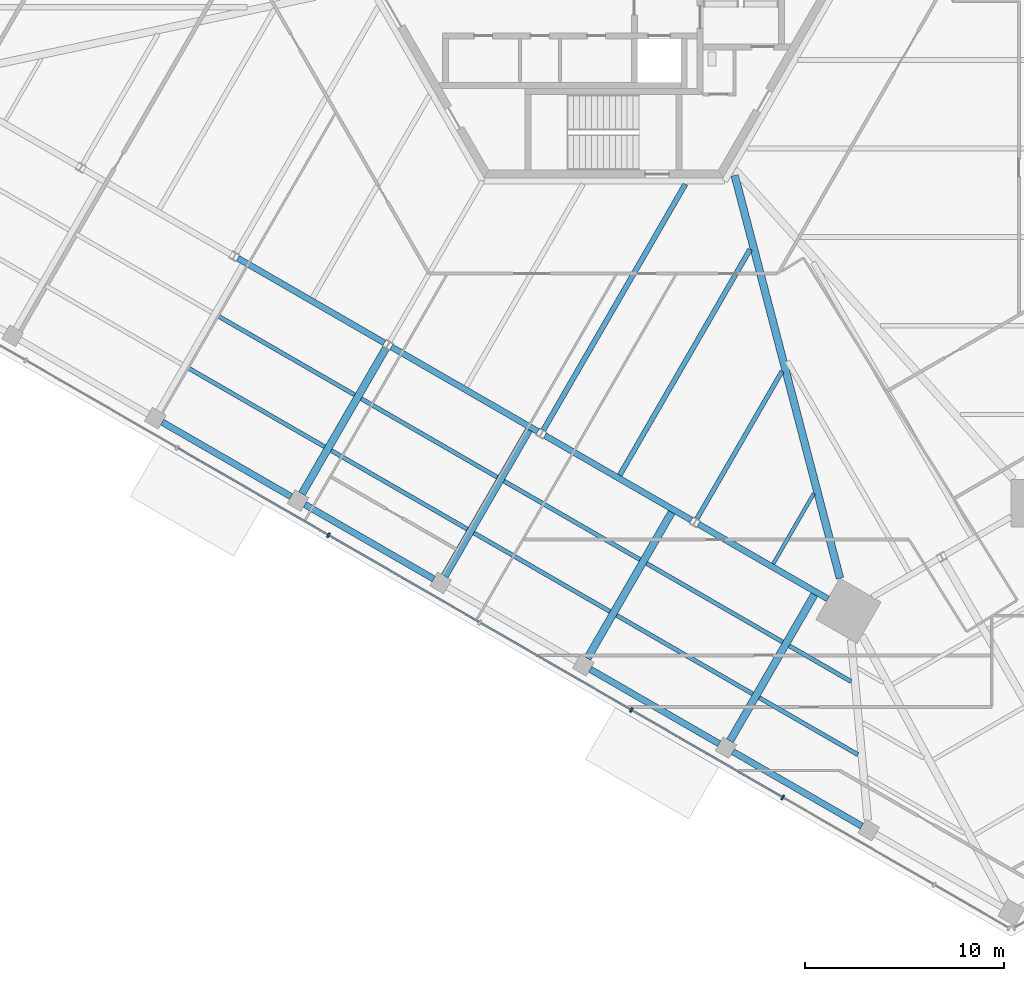
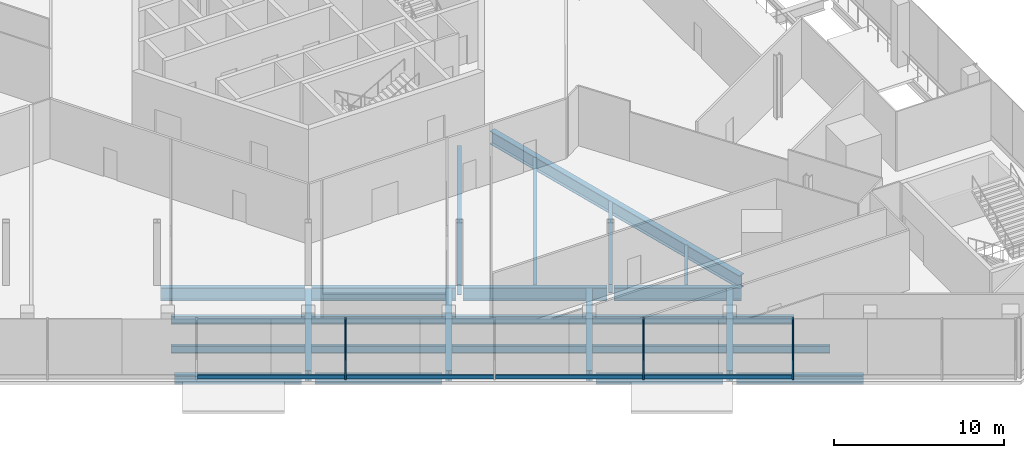
# One storey, part 6 of 27: 27 beams, 7 members, 1 element without a shape of its own.
"""IFC4 building model written with IfcOpenShell, lengths in metres."""

import ifcopenshell
import ifcopenshell.guid

model = None  # the IFC model being written
_history = None  # IfcOwnerHistory: only IFC2X3 demands one
_inside = {}  # id of a spatial element -> (the spatial element, [elements in it])
_under = {}  # id of a project, library or spatial element -> (it, [spatial elements below it])
_declared = {}  # id of a project -> (the project, [libraries it declares])
_typed = {}  # id of a type object -> (the type object, [elements of that type])
_made_of = {}  # id of a material, layer set ... -> (it, [elements and type objects made of it])


def new_model(schema):
    """Start an empty IFC model of exactly this schema.

    Asked for "IFC4X3", IfcOpenShell would pick the latest addendum, in which some entities
    have other attributes; the version numbers below select the first issue.
    IFC2X3 requires an IfcOwnerHistory on every rooted entity: one is made here for all.
    """
    global model, _history
    if schema == "IFC4X3":
        model = ifcopenshell.file(schema_version=(4, 3, 0, 0))
    else:
        model = ifcopenshell.file(schema=schema)
    _inside.clear()
    _under.clear()
    _declared.clear()
    _typed.clear()
    _made_of.clear()
    _history = None
    if model.schema == "IFC2X3":
        org = make("IfcOrganization", Name="unknown")
        user = make(
            "IfcPersonAndOrganization",
            ThePerson=make("IfcPerson", FamilyName="unknown"),
            TheOrganization=org,
        )
        app = make(
            "IfcApplication",
            ApplicationDeveloper=org,
            Version="unknown",
            ApplicationFullName="unknown",
            ApplicationIdentifier="unknown",
        )
        _history = make(
            "IfcOwnerHistory",
            OwningUser=user,
            OwningApplication=app,
            ChangeAction="ADDED",
            CreationDate=0,
        )
    return model


def make(cls, **values):
    """One entity of the class cls with the attributes given. An attribute that is None is left unset."""
    return model.create_entity(
        cls, **{name: value for name, value in values.items() if value is not None}
    )


def rooted(cls, **values):
    """An entity with a GlobalId (a new one), such as an element, a storey or a relation."""
    return make(cls, GlobalId=ifcopenshell.guid.new(), OwnerHistory=_history, **values)


def si_unit(unit_type, name, prefix=None):
    """IfcSIUnit, for example si_unit("LENGTHUNIT", "METRE", prefix="MILLI")."""
    return make("IfcSIUnit", UnitType=unit_type, Prefix=prefix, Name=name)


def assignment(units):
    """IfcUnitAssignment: the units of a project."""
    return None if units is None else make("IfcUnitAssignment", Units=units)


def point(xyz):
    """IfcCartesianPoint."""
    return None if xyz is None else make("IfcCartesianPoint", Coordinates=xyz)


def direction(xyz):
    """IfcDirection."""
    return None if xyz is None else make("IfcDirection", DirectionRatios=xyz)


def frame(location, z_axis=None, x_axis=None):
    """IfcAxis2Placement3D, a coordinate frame: its origin and axes. An axis left out is left unset."""
    return make(
        "IfcAxis2Placement3D",
        Location=point(location),
        Axis=direction(z_axis),
        RefDirection=direction(x_axis),
    )


def frame_2d(location, x_axis=None):
    """IfcAxis2Placement2D, a coordinate frame in the plane: its origin and x axis."""
    return make(
        "IfcAxis2Placement2D", Location=point(location), RefDirection=direction(x_axis)
    )


def origin():
    """The frame at (0, 0, 0) with its axes left unset."""
    return frame((0.0, 0.0, 0.0))


def origin_2d():
    """The frame at (0, 0) in the plane with its x axis left unset."""
    return frame_2d((0.0, 0.0))


def place(relative_to, where):
    """IfcLocalPlacement: puts the frame where relative to a parent placement (None: the world)."""
    return make(
        "IfcLocalPlacement", PlacementRelTo=relative_to, RelativePlacement=where
    )


def context(
    kind, dimensions, precision=None, world=None, true_north=None, identifier=None
):
    """IfcGeometricRepresentationContext, for example the 3D "Model" context."""
    return make(
        "IfcGeometricRepresentationContext",
        ContextIdentifier=identifier,
        ContextType=kind,
        CoordinateSpaceDimension=dimensions,
        Precision=precision,
        WorldCoordinateSystem=world,
        TrueNorth=true_north,
    )


def subcontext(parent, identifier, kind, view, scale=None):
    """IfcGeometricRepresentationSubContext, for example "Body" below "Model"."""
    return make(
        "IfcGeometricRepresentationSubContext",
        ContextIdentifier=identifier,
        ContextType=kind,
        ParentContext=parent,
        TargetScale=scale,
        TargetView=view,
    )


def project(units=None, contexts=None):
    """IfcProject with its units and contexts."""
    return rooted(
        "IfcProject",
        Name="project",
        RepresentationContexts=contexts,
        UnitsInContext=assignment(units),
    )


def spatial(cls, under=None, at=None, **own):
    """A site, building, storey or space (cls), placed at a placement, below another one or the project."""
    s = rooted(cls, ObjectPlacement=at, **own)
    if under is not None:
        _under.setdefault(under.id(), (under, []))[1].append(s)
    return s


def profile(cls, at=None, kind="AREA", **sizes):
    """A parametric profile (cls). Its sizes go by their IFC names, for example OverallWidth=200.0."""
    return make(cls, ProfileType=kind, Position=at, **sizes)


def rectangle(**sizes):
    """IfcRectangleProfileDef."""
    return profile("IfcRectangleProfileDef", **sizes)


def i_section(**sizes):
    """IfcIShapeProfileDef."""
    return profile("IfcIShapeProfileDef", **sizes)


def extrude(swept, where, along, depth):
    """IfcExtrudedAreaSolid: the profile swept, set in the frame where, extruded along a direction by depth."""
    return make(
        "IfcExtrudedAreaSolid",
        SweptArea=swept,
        Position=where,
        ExtrudedDirection=direction(along),
        Depth=depth,
    )


def shape(context_of_items, identifier, shape_type, items):
    """IfcShapeRepresentation: the items that make up one representation, for example the "Body"."""
    return make(
        "IfcShapeRepresentation",
        ContextOfItems=context_of_items,
        RepresentationIdentifier=identifier,
        RepresentationType=shape_type,
        Items=items,
    )


def source(mapping_origin, context_of_items, identifier, shape_type, items):
    """IfcRepresentationMap: a shape defined once, which mapped items show again and again."""
    return make(
        "IfcRepresentationMap",
        MappingOrigin=mapping_origin,
        MappedRepresentation=shape(context_of_items, identifier, shape_type, items),
    )


def transform(
    local_origin,
    x_axis=None,
    y_axis=None,
    z_axis=None,
    scale=None,
    scale2=None,
    scale3=None,
    uniform=True,
):
    """IfcCartesianTransformationOperator3D, or its non-uniform kind. x_axis, y_axis, z_axis: its Axis1, 2, 3."""
    if uniform:
        return make(
            "IfcCartesianTransformationOperator3D",
            Axis1=direction(x_axis),
            Axis2=direction(y_axis),
            LocalOrigin=point(local_origin),
            Scale=scale,
            Axis3=direction(z_axis),
        )
    return make(
        "IfcCartesianTransformationOperator3DnonUniform",
        Axis1=direction(x_axis),
        Axis2=direction(y_axis),
        LocalOrigin=point(local_origin),
        Scale=scale,
        Axis3=direction(z_axis),
        Scale2=scale2,
        Scale3=scale3,
    )


def mapped(mapping_source, mapping_target):
    """IfcMappedItem: shows the shape of a source again, moved by a transform."""
    return make(
        "IfcMappedItem", MappingSource=mapping_source, MappingTarget=mapping_target
    )


def material(Name=None, Category=None):
    """IfcMaterial."""
    return make("IfcMaterial", Name=Name, Category=Category)


def material_profile(
    of_material, cross_section, Name=None, Category=None, Priority=None
):
    """IfcMaterialProfile: a cross section and its material."""
    return make(
        "IfcMaterialProfile",
        Name=Name,
        Material=of_material,
        Profile=cross_section,
        Priority=Priority,
        Category=Category,
    )


def profile_set(profiles, Name=None, composite=None):
    """IfcMaterialProfileSet."""
    return make(
        "IfcMaterialProfileSet",
        Name=Name,
        MaterialProfiles=profiles,
        CompositeProfile=composite,
    )


def made_of(thing, what):
    """Note that an element or type object is made of a material, layer set ...; save() writes the relation."""
    if what is not None:
        _made_of.setdefault(what.id(), (what, []))[1].append(thing)
    return thing


def type_object(cls, material=None, **own):
    """A type object (cls), such as IfcWallType, which elements share."""
    return made_of(rooted(cls, **own), material)


def element(
    cls,
    number,
    at=None,
    inside=None,
    cuts=None,
    type_object=None,
    material=None,
    context=None,
    identifier="Body",
    shape_type=None,
    held_by="IfcProductDefinitionShape",
    body=None,
    shapes=None,
    **own,
):
    """One element of the class cls, such as IfcWall. Its Tag is "e" and its number.

    at: its placement. inside: the storey or other place that contains it. cuts: it is an
    opening in that element (IfcRelVoidsElement). A single representation is given by context,
    identifier, shape_type and body (its items); several are given by shapes. held_by: the class
    of the entity that holds the representations. save() writes the other relations.
    """
    e = rooted(cls, Tag="e%d" % number, ObjectPlacement=at, **own)
    if body is not None:
        shapes = [shape(context, identifier, shape_type, body)]
    if shapes is not None:
        e.Representation = make(held_by, Representations=shapes)
    if inside is not None:
        _inside.setdefault(inside.id(), (inside, []))[1].append(e)
    if cuts is not None:
        rooted(
            "IfcRelVoidsElement", RelatingBuildingElement=cuts, RelatedOpeningElement=e
        )
    if type_object is not None:
        _typed.setdefault(type_object.id(), (type_object, []))[1].append(e)
    return made_of(e, material)


def aggregate(whole, parts):
    """IfcRelAggregates: a whole, such as a stair, and the parts it consists of."""
    return rooted("IfcRelAggregates", RelatingObject=whole, RelatedObjects=parts)


def save(model, path):
    """Write the relations noted so far, then the file.

    IfcRelAggregates (storeys below a building ...), IfcRelContainedInSpatialStructure (elements
    in a storey), IfcRelDefinesByType, IfcRelAssociatesMaterial and IfcRelDeclares: one each for
    every whole, place, type object, material and project.
    """
    for whole, parts in _under.values():
        aggregate(whole, parts)
    for where, things in _inside.values():
        rooted(
            "IfcRelContainedInSpatialStructure",
            RelatedElements=things,
            RelatingStructure=where,
        )
    for kind, things in _typed.values():
        rooted("IfcRelDefinesByType", RelatedObjects=things, RelatingType=kind)
    for what, things in _made_of.values():
        rooted("IfcRelAssociatesMaterial", RelatedObjects=things, RelatingMaterial=what)
    for by, libraries in _declared.values():
        rooted("IfcRelDeclares", RelatingContext=by, RelatedDefinitions=libraries)
    model.write(path)


model = new_model("IFC4")

# Units and contexts
model_context = context("Model", 3, precision=1e-05, world=origin(), true_north=direction((0.0, 1.0)))
body_context = subcontext(model_context, "Body", "Model", "MODEL_VIEW")
ifc_project = project(units=[si_unit("LENGTHUNIT", "METRE"), si_unit("AREAUNIT", "SQUARE_METRE"), si_unit("VOLUMEUNIT", "CUBIC_METRE"), si_unit("PLANEANGLEUNIT", "RADIAN"), si_unit("MASSUNIT", "GRAM", prefix="KILO")], contexts=[model_context])

# Site, building, storey
site_placement = place(None, origin())
site = spatial("IfcSite", under=ifc_project, at=site_placement, CompositionType="ELEMENT")
building_placement = place(site_placement, origin())
building = spatial("IfcBuilding", under=site, at=building_placement, Name="Triune Harvest Tower", CompositionType="ELEMENT")
storey_placement = place(building_placement, frame((0.0, 0.0, 7.0)))
storey = spatial("IfcBuildingStorey", under=building, at=storey_placement, Name="L01", CompositionType="ELEMENT", Elevation=7.0)

# Beams
ifc_material_1 = material(Name="Steel ASTM A992 Gr 50", Category="steel")
ifc_material_profile_1 = material_profile(ifc_material_1, i_section(OverallWidth=0.309814453125, OverallDepth=0.93212890625, WebThickness=0.02099609375, FlangeThickness=0.034423828125, at=origin_2d()), Name="W36x210")
ifc_profile_set_1 = profile_set([ifc_material_profile_1], Name="Steel ASTM A992 Gr 50")
beam_type_1 = type_object("IfcBeamType", Name="SB-3 Spandrel beam W36x210", PredefinedType="SPANDREL", material=ifc_profile_set_1)
shared_shape_1 = source(origin(), body_context, "Body", "SweptSolid", [
    extrude(i_section(OverallWidth=0.309814453125, OverallDepth=0.93212890625, WebThickness=0.02099609375, FlangeThickness=0.034423828125, at=origin_2d()), origin(), (0.0, 0.0, 1.0), 8.506103515625),
])
for number, where, z_axis, x_axis, name in (
    (1, (-18.381103515625, -14.4208984375, -0.666015625), (0.866017818397, -0.500013138047, 0.0), (0.500013138047, 0.866017818397, 0.0), "beam/L01/SB19"),
    (2, (-10.664794921875, -18.8759765625, -0.666015625), (0.866030246746, -0.49999161165, 0.0), (0.49999161165, 0.866030246746, 0.0), "beam/L01/SB20"),
    (3, (-2.948486328125, -23.3310546875, -0.666015625), (0.866030246746, -0.49999161165, 0.0), (0.49999161165, 0.866030246746, 0.0), "beam/L01/SB21"),
):
    element("IfcBeam", number, at=place(storey_placement, frame(where, z_axis=z_axis, x_axis=x_axis)), inside=storey, type_object=beam_type_1, Name=name, PredefinedType="SPANDREL", context=body_context, shape_type="MappedRepresentation", body=[
        mapped(shared_shape_1, transform((0.0, 0.0, 0.0), scale=1.0)),
    ])
shared_shape_2 = source(origin(), body_context, "Body", "SweptSolid", [
    extrude(i_section(OverallWidth=0.309814453125, OverallDepth=0.93212890625, WebThickness=0.02099609375, FlangeThickness=0.034423828125, at=origin_2d()), origin(), (0.0, 0.0, 1.0), 7.50830078125),
])
beam_1_placement = place(storey_placement, frame((4.767578125, -27.785888671875, -0.666015625), z_axis=(0.866027474485, -0.499996413425, 0.0), x_axis=(0.499996413425, 0.866027474485, 0.0)))
element("IfcBeam", 4, at=beam_1_placement, inside=storey, type_object=beam_type_1, Name="beam/L01/SB22", PredefinedType="SPANDREL", context=body_context, shape_type="MappedRepresentation", body=[
    mapped(shared_shape_2, transform((0.0, 0.0, 0.0), scale=1.0)),
])
ifc_material_2 = material(Name="Steel ASTM A992 Gr 50", Category="steel")
ifc_material_profile_2 = material_profile(ifc_material_2, i_section(OverallWidth=0.383544921875, OverallDepth=0.9423828125, WebThickness=0.022216796875, FlangeThickness=0.039794921875, at=origin_2d()), Name="W36x232")
ifc_profile_set_2 = profile_set([ifc_material_profile_2], Name="Steel ASTM A992 Gr 50")
beam_type_2 = type_object("IfcBeamType", Name="HG-1 Hip girder W36x232", PredefinedType="BEAM", material=ifc_profile_set_2)
shared_shape_3 = source(origin(), body_context, "Body", "SweptSolid", [
    extrude(i_section(OverallWidth=0.383544921875, OverallDepth=0.9423828125, WebThickness=0.022216796875, FlangeThickness=0.039794921875, at=origin_2d()), origin(), (0.0, 0.0, 1.0), 20.931884765625),
])
beam_2_placement = place(storey_placement, frame((11.8828125, -30.50830078125, -0.671142578125), z_axis=(-0.252690148393, 0.967547254094, 0.0), x_axis=(-0.967547254094, -0.252690148393, 0.0)))
element("IfcBeam", 5, at=beam_2_placement, inside=storey, type_object=beam_type_2, Name="beam/L01/HG6", PredefinedType="BEAM", context=body_context, shape_type="MappedRepresentation", body=[
    mapped(shared_shape_3, transform((0.0, 0.0, 0.0), scale=1.0)),
])
ifc_material_3 = material(Name="Steel ASTM A992 Gr 50", Category="steel")
ifc_material_profile_3 = material_profile(ifc_material_3, i_section(OverallWidth=0.2666015625, OverallDepth=0.7568359375, WebThickness=0.013916015625, FlangeThickness=0.019287109375, at=origin_2d()), Name="W30x108")
ifc_profile_set_3 = profile_set([ifc_material_profile_3], Name="Steel ASTM A992 Gr 50")
beam_type_3 = type_object("IfcBeamType", Name="JT-5 Floor joist W30x108", PredefinedType="JOIST", material=ifc_profile_set_3)
shared_shape_4 = source(origin(), body_context, "Body", "SweptSolid", [
    extrude(i_section(OverallWidth=0.2666015625, OverallDepth=0.7568359375, WebThickness=0.013916015625, FlangeThickness=0.019287109375, at=origin_2d()), origin(), (0.0, 0.0, 1.0), 14.2685546875),
])
beam_3_placement = place(storey_placement, frame((-3.02197265625, -23.053955078125, -0.57861328125), z_axis=(0.499999916269, 0.866025452127, 0.0), x_axis=(-0.866025452127, 0.499999916269, 0.0)))
element("IfcBeam", 6, at=beam_3_placement, inside=storey, type_object=beam_type_3, Name="beam/L01/JT34", PredefinedType="JOIST", context=body_context, shape_type="MappedRepresentation", body=[
    mapped(shared_shape_4, transform((0.0, 0.0, 0.0), scale=1.0)),
])
ifc_material_4 = material(Name="Steel ASTM A992 Gr 50", Category="steel")
ifc_material_profile_4 = material_profile(ifc_material_4, i_section(OverallWidth=0.22900390625, OverallDepth=0.612060546875, WebThickness=0.011962890625, FlangeThickness=0.01953125, at=origin_2d()), Name="W24x84")
ifc_profile_set_4 = profile_set([ifc_material_profile_4], Name="Steel ASTM A992 Gr 50")
beam_type_4 = type_object("IfcBeamType", Name="JT-3 Floor joist W24x84", PredefinedType="JOIST", material=ifc_profile_set_4)
shared_shape_5 = source(origin(), body_context, "Body", "SweptSolid", [
    extrude(i_section(OverallWidth=0.22900390625, OverallDepth=0.612060546875, WebThickness=0.011962890625, FlangeThickness=0.01953125, at=origin_2d()), origin(), (0.0, 0.0, 1.0), 8.54736328125),
])
beam_4_placement = place(storey_placement, frame((4.6943359375, -27.509033203125, -0.506103515625), z_axis=(0.499994426748, 0.866028621479, 0.0), x_axis=(-0.866028621479, 0.499994426748, 0.0)))
element("IfcBeam", 7, at=beam_4_placement, inside=storey, type_object=beam_type_4, Name="beam/L01/JT36", PredefinedType="JOIST", context=body_context, shape_type="MappedRepresentation", body=[
    mapped(shared_shape_5, transform((0.0, 0.0, 0.0), scale=1.0)),
])
ifc_material_5 = material(Name="Steel ASTM A992 Gr 50", Category="steel")
ifc_material_profile_5 = material_profile(ifc_material_5, i_section(OverallWidth=0.253662109375, OverallDepth=0.683349609375, WebThickness=0.012451171875, FlangeThickness=0.01904296875, at=origin_2d()), Name="W27x94")
ifc_profile_set_5 = profile_set([ifc_material_profile_5], Name="Steel ASTM A992 Gr 50")
beam_type_5 = type_object("IfcBeamType", Name="JT-4 Floor joist W27x94", PredefinedType="JOIST", material=ifc_profile_set_5)
shared_shape_6 = source(origin(), body_context, "Body", "SweptSolid", [
    extrude(i_section(OverallWidth=0.253662109375, OverallDepth=0.683349609375, WebThickness=0.012451171875, FlangeThickness=0.01904296875, at=origin_2d()), origin(), (0.0, 0.0, 1.0), 13.107421875),
])
beam_5_placement = place(storey_placement, frame((0.81201171875, -25.3232421875, -0.54150390625), z_axis=(0.500015355683, 0.866016537995, 0.0), x_axis=(-0.866016537995, 0.500015355683, 0.0)))
element("IfcBeam", 8, at=beam_5_placement, inside=storey, type_object=beam_type_5, Name="beam/L01/JT35", PredefinedType="JOIST", context=body_context, shape_type="MappedRepresentation", body=[
    mapped(shared_shape_6, transform((0.0, 0.0, 0.0), scale=1.0)),
])
ifc_material_6 = material(Name="Steel ASTM A992 Gr 50", Category="steel")
ifc_material_profile_6 = material_profile(ifc_material_6, i_section(OverallWidth=0.180908203125, OverallDepth=0.41650390625, WebThickness=0.010986328125, FlangeThickness=0.01806640625, at=origin_2d()), Name="W16x57")
ifc_profile_set_6 = profile_set([ifc_material_profile_6], Name="Steel ASTM A992 Gr 50")
beam_type_6 = type_object("IfcBeamType", Name="JT-1 Floor joist W16x57", PredefinedType="JOIST", material=ifc_profile_set_6)
shared_shape_7 = source(origin(), body_context, "Body", "SweptSolid", [
    extrude(i_section(OverallWidth=0.180908203125, OverallDepth=0.41650390625, WebThickness=0.010986328125, FlangeThickness=0.01806640625, at=origin_2d()), origin(), (0.0, 0.0, 1.0), 4.083740234375),
])
beam_6_placement = place(storey_placement, frame((8.5283203125, -29.7783203125, -0.408203125), z_axis=(0.500022597718, 0.866012356593, 0.0), x_axis=(-0.866012356593, 0.500022597718, 0.0)))
element("IfcBeam", 9, at=beam_6_placement, inside=storey, type_object=beam_type_6, Name="beam/L01/JT37", PredefinedType="JOIST", context=body_context, shape_type="MappedRepresentation", body=[
    mapped(shared_shape_7, transform((0.0, 0.0, 0.0), scale=1.0)),
])
ifc_material_7 = material(Name="Steel ASTM A992 Gr 50", Category="steel")
ifc_material_profile_7 = material_profile(ifc_material_7, i_section(OverallWidth=0.32763671875, OverallDepth=0.62744140625, WebThickness=0.0166015625, FlangeThickness=0.027587890625, at=origin_2d()), Name="W24x146")
ifc_profile_set_7 = profile_set([ifc_material_profile_7], Name="Steel ASTM A992 Gr 50")
beam_type_7 = type_object("IfcBeamType", Name="PD-4 Podium edge beam W24x146", PredefinedType="BEAM", material=ifc_profile_set_7)
shared_shape_8 = source(origin(), body_context, "Body", "SweptSolid", [
    extrude(i_section(OverallWidth=0.32763671875, OverallDepth=0.62744140625, WebThickness=0.0166015625, FlangeThickness=0.027587890625, at=origin_2d()), origin(), (0.0, 0.0, 1.0), 7.47998046875),
])
for number, where, z_axis, x_axis, name in (
    (10, (-22.181884765625, -22.659912109375, -0.513671875), (0.866023067432, -0.500004046659, 0.0), (0.500004046659, 0.866023067432, 0.0), "beam/L01/PE30"),
    (11, (6.5009765625, -39.219970703125, -0.513671875), (0.866023067432, -0.500004046659, 0.0), (0.500004046659, 0.866023067432, 0.0), "beam/L01/PE34"),
):
    element("IfcBeam", number, at=place(storey_placement, frame(where, z_axis=z_axis, x_axis=x_axis)), inside=storey, type_object=beam_type_7, Name=name, PredefinedType="BEAM", context=body_context, shape_type="MappedRepresentation", body=[
        mapped(shared_shape_8, transform((0.0, 0.0, 0.0), scale=1.0)),
    ])
shared_shape_9 = source(origin(), body_context, "Body", "SweptSolid", [
    extrude(i_section(OverallWidth=0.32763671875, OverallDepth=0.62744140625, WebThickness=0.0166015625, FlangeThickness=0.027587890625, at=origin_2d()), origin(), (0.0, 0.0, 1.0), 7.480224609375),
])
for number, where, z_axis, x_axis, name in (
    (12, (-15.01123046875, -26.800048828125, -0.513671875), (0.866031227086, -0.49998991361, 0.0), (0.49998991361, 0.866031227086, 0.0), "beam/L01/PE31"),
    (13, (-0.669921875, -35.080078125, -0.513671875), (0.866031227086, -0.49998991361, 0.0), (0.49998991361, 0.866031227086, 0.0), "beam/L01/PE33"),
):
    element("IfcBeam", number, at=place(storey_placement, frame(where, z_axis=z_axis, x_axis=x_axis)), inside=storey, type_object=beam_type_7, Name=name, PredefinedType="BEAM", context=body_context, shape_type="MappedRepresentation", body=[
        mapped(shared_shape_9, transform((0.0, 0.0, 0.0), scale=1.0)),
    ])
ifc_material_8 = material(Name="Steel ASTM A992 Gr 50", Category="steel")
ifc_material_profile_8 = material_profile(ifc_material_8, i_section(OverallWidth=0.381103515625, OverallDepth=0.772216796875, WebThickness=0.0166015625, FlangeThickness=0.027099609375, at=origin_2d()), Name="W30x173")
ifc_profile_set_8 = profile_set([ifc_material_profile_8], Name="Steel ASTM A992 Gr 50")
beam_type_8 = type_object("IfcBeamType", Name="PD-3 Podium girder W30x173", PredefinedType="BEAM", material=ifc_profile_set_8)
shared_shape_10 = source(origin(), body_context, "Body", "SweptSolid", [
    extrude(i_section(OverallWidth=0.381103515625, OverallDepth=0.772216796875, WebThickness=0.0166015625, FlangeThickness=0.027099609375, at=origin_2d()), origin(), (0.0, 0.0, 1.0), 8.480712890625),
])
for number, where, z_axis, x_axis, name in (
    (14, (-0.816162109375, -34.53369140625, -0.586181640625), (0.499990755813, 0.866030740852, 0.0), (-0.866030740852, 0.499990755813, 0.0), "beam/L01/PR35"),
    (15, (6.3544921875, -38.673583984375, -0.586181640625), (0.499990755813, 0.866030740852, 0.0), (-0.866030740852, 0.499990755813, 0.0), "beam/L01/PR36"),
):
    element("IfcBeam", number, at=place(storey_placement, frame(where, z_axis=z_axis, x_axis=x_axis)), inside=storey, type_object=beam_type_8, Name=name, PredefinedType="BEAM", context=body_context, shape_type="MappedRepresentation", body=[
        mapped(shared_shape_10, transform((0.0, 0.0, 0.0), scale=1.0)),
    ])
shared_shape_11 = source(origin(), body_context, "Body", "SweptSolid", [
    extrude(i_section(OverallWidth=0.381103515625, OverallDepth=0.772216796875, WebThickness=0.0166015625, FlangeThickness=0.027099609375, at=origin_2d()), origin(), (0.0, 0.0, 1.0), 8.48046875),
])
beam_7_placement = place(storey_placement, frame((-7.98681640625, -30.3935546875, -0.586181640625), z_axis=(0.500003221507, 0.866023543838, 0.0), x_axis=(-0.866023543838, 0.500003221507, 0.0)))
element("IfcBeam", 16, at=beam_7_placement, inside=storey, type_object=beam_type_8, Name="beam/L01/PR34", PredefinedType="BEAM", context=body_context, shape_type="MappedRepresentation", body=[
    mapped(shared_shape_11, transform((0.0, 0.0, 0.0), scale=1.0)),
])
shared_shape_12 = source(origin(), body_context, "Body", "SweptSolid", [
    extrude(i_section(OverallWidth=0.381103515625, OverallDepth=0.772216796875, WebThickness=0.0166015625, FlangeThickness=0.027099609375, at=origin_2d()), origin(), (0.0, 0.0, 1.0), 8.4326171875),
])
beam_8_placement = place(storey_placement, frame((-15.15771484375, -26.253662109375, -0.586181640625), z_axis=(0.500006487071, 0.86602165844, 0.0), x_axis=(-0.86602165844, 0.500006487071, 0.0)))
element("IfcBeam", 17, at=beam_8_placement, inside=storey, type_object=beam_type_8, Name="beam/L01/PR33", PredefinedType="BEAM", context=body_context, shape_type="MappedRepresentation", body=[
    mapped(shared_shape_12, transform((0.0, 0.0, 0.0), scale=1.0)),
])
ifc_material_9 = material(Name="Steel ASTM A992 Gr 50", Category="steel")
ifc_material_profile_9 = material_profile(ifc_material_9, i_section(OverallWidth=0.2138671875, OverallDepth=0.548583984375, WebThickness=0.0146484375, FlangeThickness=0.023681640625, at=origin_2d()), Name="W21x93")
ifc_profile_set_9 = profile_set([ifc_material_profile_9], Name="Steel ASTM A992 Gr 50")
beam_type_9 = type_object("IfcBeamType", Name="PD-5 Podium joist W21x93", PredefinedType="JOIST", material=ifc_profile_set_9)
shared_shape_13 = source(origin(), body_context, "Body", "SweptSolid", [
    extrude(i_section(OverallWidth=0.2138671875, OverallDepth=0.548583984375, WebThickness=0.0146484375, FlangeThickness=0.023681640625, at=origin_2d()), origin(), (0.0, 0.0, 1.0), 3.59619140625),
])
beam_9_placement = place(storey_placement, frame((9.331298828125, -33.898681640625, -0.474365234375), z_axis=(0.866062364587, -0.499935976547, 0.0), x_axis=(0.499935976547, 0.866062364587, 0.0)))
element("IfcBeam", 18, at=beam_9_placement, inside=storey, type_object=beam_type_9, Name="beam/L01/PJ74", PredefinedType="JOIST", context=body_context, shape_type="MappedRepresentation", body=[
    mapped(shared_shape_13, transform((0.0, 0.0, 0.0), scale=1.0)),
])
shared_shape_14 = source(origin(), body_context, "Body", "SweptSolid", [
    extrude(i_section(OverallWidth=0.2138671875, OverallDepth=0.548583984375, WebThickness=0.0146484375, FlangeThickness=0.023681640625, at=origin_2d()), origin(), (0.0, 0.0, 1.0), 7.89892578125),
])
for number, where, z_axis, x_axis, name in (
    (19, (-19.351318359375, -17.338623046875, -0.474365234375), (0.866022421773, -0.50000516496, 0.0), (0.50000516496, 0.866022421773, 0.0), "beam/L01/PJ66"),
    (20, (0.65478515625, -32.366943359375, -0.474365234375), (0.866022421773, -0.50000516496, 0.0), (0.50000516496, 0.866022421773, 0.0), "beam/L01/PJ71"),
):
    element("IfcBeam", number, at=place(storey_placement, frame(where, z_axis=z_axis, x_axis=x_axis)), inside=storey, type_object=beam_type_9, Name=name, PredefinedType="JOIST", context=body_context, shape_type="MappedRepresentation", body=[
        mapped(shared_shape_14, transform((0.0, 0.0, 0.0), scale=1.0)),
    ])
shared_shape_15 = source(origin(), body_context, "Body", "SweptSolid", [
    extrude(i_section(OverallWidth=0.2138671875, OverallDepth=0.548583984375, WebThickness=0.0146484375, FlangeThickness=0.023681640625, at=origin_2d()), origin(), (0.0, 0.0, 1.0), 7.899169921875),
])
for number, where, z_axis, x_axis, name in (
    (21, (-20.857421875, -19.947021484375, -0.474365234375), (0.866030148722, -0.499991781437, 0.0), (0.499991781437, 0.866030148722, 0.0), "beam/L01/PJ65"),
    (22, (-13.686767578125, -24.0869140625, -0.474365234375), (0.866030148722, -0.499991781437, 0.0), (0.499991781437, 0.866030148722, 0.0), "beam/L01/PJ67"),
    (23, (-12.180908203125, -21.478515625, -0.474365234375), (0.866030148722, -0.499991781437, 0.0), (0.499991781437, 0.866030148722, 0.0), "beam/L01/PJ68"),
    (24, (-6.51611328125, -28.226806640625, -0.474365234375), (0.866016765394, -0.500014961832, 0.0), (0.500014961832, 0.866016765394, 0.0), "beam/L01/PJ69"),
    (25, (-5.010009765625, -25.61865234375, -0.474365234375), (0.866030148722, -0.499991781437, 0.0), (0.499991781437, 0.866030148722, 0.0), "beam/L01/PJ70"),
    (26, (2.16064453125, -29.758544921875, -0.474365234375), (0.866030148722, -0.499991781437, 0.0), (0.499991781437, 0.866030148722, 0.0), "beam/L01/PJ72"),
):
    element("IfcBeam", number, at=place(storey_placement, frame(where, z_axis=z_axis, x_axis=x_axis)), inside=storey, type_object=beam_type_9, Name=name, PredefinedType="JOIST", context=body_context, shape_type="MappedRepresentation", body=[
        mapped(shared_shape_15, transform((0.0, 0.0, 0.0), scale=1.0)),
    ])
shared_shape_16 = source(origin(), body_context, "Body", "SweptSolid", [
    extrude(i_section(OverallWidth=0.2138671875, OverallDepth=0.548583984375, WebThickness=0.0146484375, FlangeThickness=0.023681640625, at=origin_2d()), origin(), (0.0, 0.0, 1.0), 5.726318359375),
])
beam_10_placement = place(storey_placement, frame((7.825439453125, -36.5068359375, -0.474365234375), z_axis=(0.866009501729, -0.500027542156, 0.0), x_axis=(0.500027542156, 0.866009501729, 0.0)))
element("IfcBeam", 27, at=beam_10_placement, inside=storey, type_object=beam_type_9, Name="beam/L01/PJ73", PredefinedType="JOIST", context=body_context, shape_type="MappedRepresentation", body=[
    mapped(shared_shape_16, transform((0.0, 0.0, 0.0), scale=1.0)),
])

# Curtain wall, members
ifc_material_10 = material(Name="Aluminium bronze anodised", Category="aluminium")
curtain_wall_type = type_object("IfcCurtainWallType", Name="CW-2 Podium shopfront wall", PredefinedType="NOTDEFINED", material=ifc_material_10)
curtain_wall_placement = place(storey_placement, origin())
curtain_wall = element("IfcCurtainWall", 28, at=curtain_wall_placement, inside=storey, type_object=curtain_wall_type, Name="CW-2 PD-F5 L01 run 1")
ifc_material_11 = material(Name="Aluminium bronze anodised", Category="aluminium")
ifc_material_profile_10 = material_profile(ifc_material_11, rectangle(XDim=0.25, YDim=0.090087890625, at=origin_2d()), Name="MU-2 mullion 90 x 250")
ifc_profile_set_10 = profile_set([ifc_material_profile_10], Name="Aluminium bronze anodised")
member_type_1 = type_object("IfcMemberType", Name="MU-2 mullion 90 x 250", PredefinedType="MULLION", material=ifc_profile_set_10)
shared_shape_17 = source(origin(), body_context, "Body", "SweptSolid", [
    extrude(rectangle(XDim=0.25, YDim=0.090087890625, at=origin_2d()), origin(), (0.0, 0.0, 1.0), 4.300048828125),
])
member_1_placement = place(storey_placement, frame((-13.82470703125, -28.338623046875, 0.0), z_axis=(0.0, 0.0, 1.0), x_axis=(0.500000221117, 0.866025276122, 0.0)))
member_1 = element("IfcMember", 29, at=member_1_placement, type_object=member_type_1, Name="CW-2 mullion PD-F5 1.11", PredefinedType="MULLION", context=body_context, shape_type="MappedRepresentation", body=[
    mapped(shared_shape_17, transform((0.0, 0.0, 0.0), scale=1.0)),
])
member_2_placement = place(storey_placement, frame((1.394287109375, -37.125244140625, 0.0), z_axis=(0.0, 0.0, 1.0), x_axis=(0.500000221117, 0.866025276122, 0.0)))
member_2 = element("IfcMember", 30, at=member_2_placement, type_object=member_type_1, Name="CW-2 mullion PD-F5 1.15", PredefinedType="MULLION", context=body_context, shape_type="MappedRepresentation", body=[
    mapped(shared_shape_17, transform((0.0, 0.0, 0.0), scale=1.0)),
])
member_3_placement = place(storey_placement, frame((9.003662109375, -41.5185546875, 0.0), z_axis=(0.0, 0.0, 1.0), x_axis=(0.500000221117, 0.866025276122, 0.0)))
member_3 = element("IfcMember", 31, at=member_3_placement, type_object=member_type_1, Name="CW-2 mullion PD-F5 1.17", PredefinedType="MULLION", context=body_context, shape_type="MappedRepresentation", body=[
    mapped(shared_shape_17, transform((0.0, 0.0, 0.0), scale=1.0)),
])
ifc_material_12 = material(Name="Aluminium bronze anodised", Category="aluminium")
ifc_material_profile_11 = material_profile(ifc_material_12, rectangle(XDim=0.10009765625, YDim=0.300048828125, at=origin_2d()), Name="TR-2 transom 100 x 300")
ifc_profile_set_11 = profile_set([ifc_material_profile_11], Name="Aluminium bronze anodised")
member_type_2 = type_object("IfcMemberType", Name="TR-2 transom 100 x 300", PredefinedType="USERDEFINED", material=ifc_profile_set_11)
shared_shape_18 = source(origin(), body_context, "Body", "SweptSolid", [
    extrude(rectangle(XDim=0.10009765625, YDim=0.300048828125, at=origin_2d()), origin(), (0.0, 0.0, 1.0), 8.696533203125),
])
member_4_placement = place(storey_placement, frame((-21.395263671875, -23.9677734375, 0.14990234375), z_axis=(0.866033651025, -0.499985715088, 0.0), x_axis=(0.499985715088, 0.866033651025, 0.0)))
member_4 = element("IfcMember", 32, at=member_4_placement, type_object=member_type_2, Name="CW-2 transom PD-F5 1.5", ObjectType="TRANSOM", PredefinedType="USERDEFINED", context=body_context, shape_type="MappedRepresentation", body=[
    mapped(shared_shape_18, transform((0.0, 0.0, 0.0), scale=1.0)),
])
shared_shape_19 = source(origin(), body_context, "Body", "SweptSolid", [
    extrude(rectangle(XDim=0.10009765625, YDim=0.300048828125, at=origin_2d()), origin(), (0.0, 0.0, 1.0), 8.69677734375),
])
member_5_placement = place(storey_placement, frame((-13.785888671875, -28.361083984375, 0.14990234375), z_axis=(0.866028513234, -0.499994614237, 0.0), x_axis=(0.499994614237, 0.866028513234, 0.0)))
member_5 = element("IfcMember", 33, at=member_5_placement, type_object=member_type_2, Name="CW-2 transom PD-F5 1.6", ObjectType="TRANSOM", PredefinedType="USERDEFINED", context=body_context, shape_type="MappedRepresentation", body=[
    mapped(shared_shape_19, transform((0.0, 0.0, 0.0), scale=1.0)),
])
member_6_placement = place(storey_placement, frame((-6.17626953125, -32.75439453125, 0.14990234375), z_axis=(0.86602149507, -0.500006770031, 0.0), x_axis=(0.500006770031, 0.86602149507, 0.0)))
member_6 = element("IfcMember", 34, at=member_6_placement, type_object=member_type_2, Name="CW-2 transom PD-F5 1.7", ObjectType="TRANSOM", PredefinedType="USERDEFINED", context=body_context, shape_type="MappedRepresentation", body=[
    mapped(shared_shape_19, transform((0.0, 0.0, 0.0), scale=1.0)),
])
member_7_placement = place(storey_placement, frame((1.43310546875, -37.147705078125, 0.14990234375), z_axis=(0.866028513234, -0.499994614237, 0.0), x_axis=(0.499994614237, 0.866028513234, 0.0)))
member_7 = element("IfcMember", 35, at=member_7_placement, type_object=member_type_2, Name="CW-2 transom PD-F5 1.8", ObjectType="TRANSOM", PredefinedType="USERDEFINED", context=body_context, shape_type="MappedRepresentation", body=[
    mapped(shared_shape_19, transform((0.0, 0.0, 0.0), scale=1.0)),
])
aggregate(curtain_wall, [member_1, member_2, member_3, member_4, member_5, member_6, member_7])

save(model, "model.ifc")
